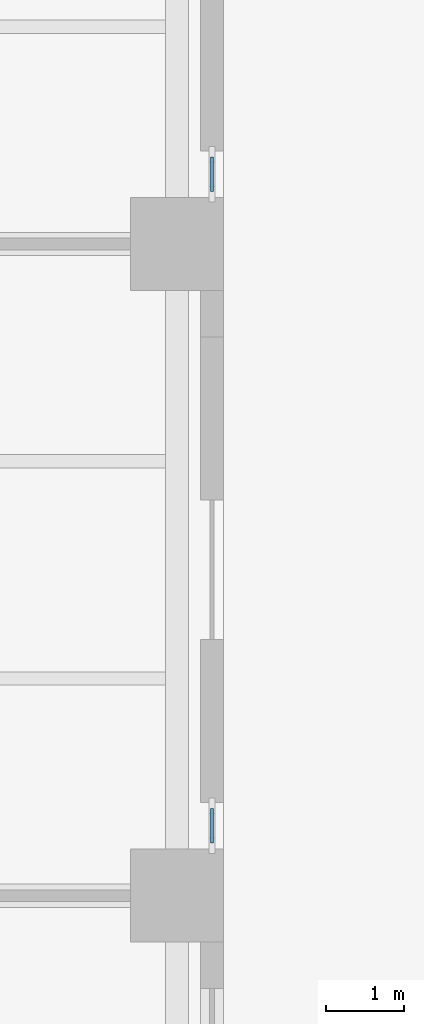
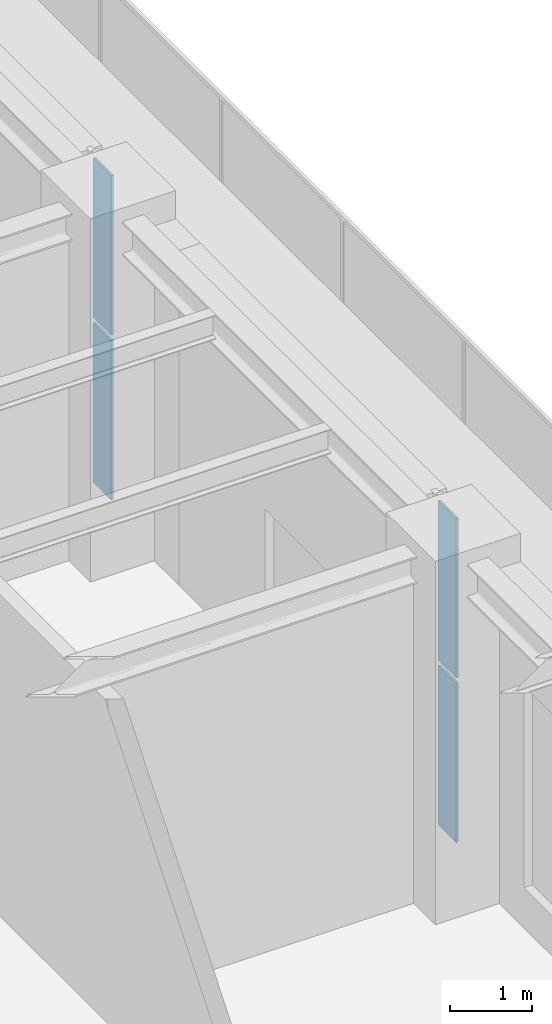
# One storey, part 17 of 36: 4 plates, 2 elements without a shape of their own.
"""IFC4 building model written with IfcOpenShell, lengths in metres."""

from ifc_helpers import new_model, si_unit, direction, frame, origin, origin_2d, place, context, subcontext, project, spatial, rectangle, extrude, material, layer, layer_set, type_object, element, aggregate, save


model = new_model("IFC4")

# Units and contexts
model_context = context("Model", 3, precision=1e-05, world=origin(), true_north=direction((0.0, 1.0)))
body_context = subcontext(model_context, "Body", "Model", "MODEL_VIEW")
ifc_project = project(units=[si_unit("LENGTHUNIT", "METRE"), si_unit("AREAUNIT", "SQUARE_METRE"), si_unit("VOLUMEUNIT", "CUBIC_METRE"), si_unit("PLANEANGLEUNIT", "RADIAN"), si_unit("MASSUNIT", "GRAM", prefix="KILO")], contexts=[model_context])

# Site, building, storey
site_placement = place(None, origin())
site = spatial("IfcSite", under=ifc_project, at=site_placement, CompositionType="ELEMENT")
building_placement = place(site_placement, origin())
building = spatial("IfcBuilding", under=site, at=building_placement, Name="Khepri Terraces", CompositionType="ELEMENT")
storey_placement = place(building_placement, frame((0.0, 0.0, 16.800048828125)))
storey = spatial("IfcBuildingStorey", under=building, at=storey_placement, Name="L03", CompositionType="ELEMENT", Elevation=16.800048828125)

# Curtain wall, plates
ifc_material_1 = material(Name="Anodised aluminium bronze curtain wall", Category="aluminium")
curtain_wall_type = type_object("IfcCurtainWallType", Name="CW-SYS5-BALLROOM", PredefinedType="NOTDEFINED", material=ifc_material_1)
curtain_wall_1_placement = place(storey_placement, origin())
curtain_wall_1 = element("IfcCurtainWall", 1, at=curtain_wall_1_placement, inside=storey, type_object=curtain_wall_type, Name="Curtain wall CW5 L03 E", PredefinedType="NOTDEFINED")
ifc_material_2 = material(Name="Clear glass", Category="glass")
ifc_layer = layer(ifc_material_2, 0.035888671875, Name="Clear glass", Category="glass")
ifc_layer_set = layer_set([ifc_layer], Name="Clear glass")
plate_type = type_object("IfcPlateType", Name="CW-PANEL-VISION-36", PredefinedType="CURTAIN_PANEL", material=ifc_layer_set)
plate_1_placement = place(storey_placement, frame((34.050048828125, -15.89990234375, 0.079833984375), z_axis=(0.0, 0.0, 1.0), x_axis=(0.0, 1.0, 0.0)))
plate_1 = element("IfcPlate", 2, at=plate_1_placement, type_object=plate_type, Name="CW5 panel 1.1", PredefinedType="CURTAIN_PANEL", context=body_context, shape_type="SweptSolid", body=[
    extrude(rectangle(XDim=0.43994140625, YDim=0.035888671875, at=origin_2d()), origin(), (0.0, 0.0, 1.0), 2.3701171875),
])
plate_2_placement = place(storey_placement, frame((34.050048828125, -15.89990234375, 2.52978515625), z_axis=(0.0, 0.0, 1.0), x_axis=(0.0, 1.0, 0.0)))
plate_2 = element("IfcPlate", 3, at=plate_2_placement, type_object=plate_type, Name="CW5 panel 1.2", PredefinedType="CURTAIN_PANEL", context=body_context, shape_type="SweptSolid", body=[
    extrude(rectangle(XDim=0.43994140625, YDim=0.035888671875, at=origin_2d()), origin(), (0.0, 0.0, 1.0), 2.3701171875),
])
aggregate(curtain_wall_1, [plate_1, plate_2])

curtain_wall_2_placement = place(storey_placement, origin())
curtain_wall_2 = element("IfcCurtainWall", 4, at=curtain_wall_2_placement, inside=storey, type_object=curtain_wall_type, Name="Curtain wall CW5 L03 E", PredefinedType="NOTDEFINED")
plate_3_placement = place(storey_placement, frame((34.050048828125, -7.5, 0.079833984375), z_axis=(0.0, 0.0, 1.0), x_axis=(0.0, 1.0, 0.0)))
plate_3 = element("IfcPlate", 5, at=plate_3_placement, type_object=plate_type, Name="CW5 panel 1.1", PredefinedType="CURTAIN_PANEL", context=body_context, shape_type="SweptSolid", body=[
    extrude(rectangle(XDim=0.43994140625, YDim=0.035888671875, at=origin_2d()), origin(), (0.0, 0.0, 1.0), 2.3701171875),
])
plate_4_placement = place(storey_placement, frame((34.050048828125, -7.5, 2.52978515625), z_axis=(0.0, 0.0, 1.0), x_axis=(0.0, 1.0, 0.0)))
plate_4 = element("IfcPlate", 6, at=plate_4_placement, type_object=plate_type, Name="CW5 panel 1.2", PredefinedType="CURTAIN_PANEL", context=body_context, shape_type="SweptSolid", body=[
    extrude(rectangle(XDim=0.43994140625, YDim=0.035888671875, at=origin_2d()), origin(), (0.0, 0.0, 1.0), 2.3701171875),
])
aggregate(curtain_wall_2, [plate_3, plate_4])

save(model, "model.ifc")
